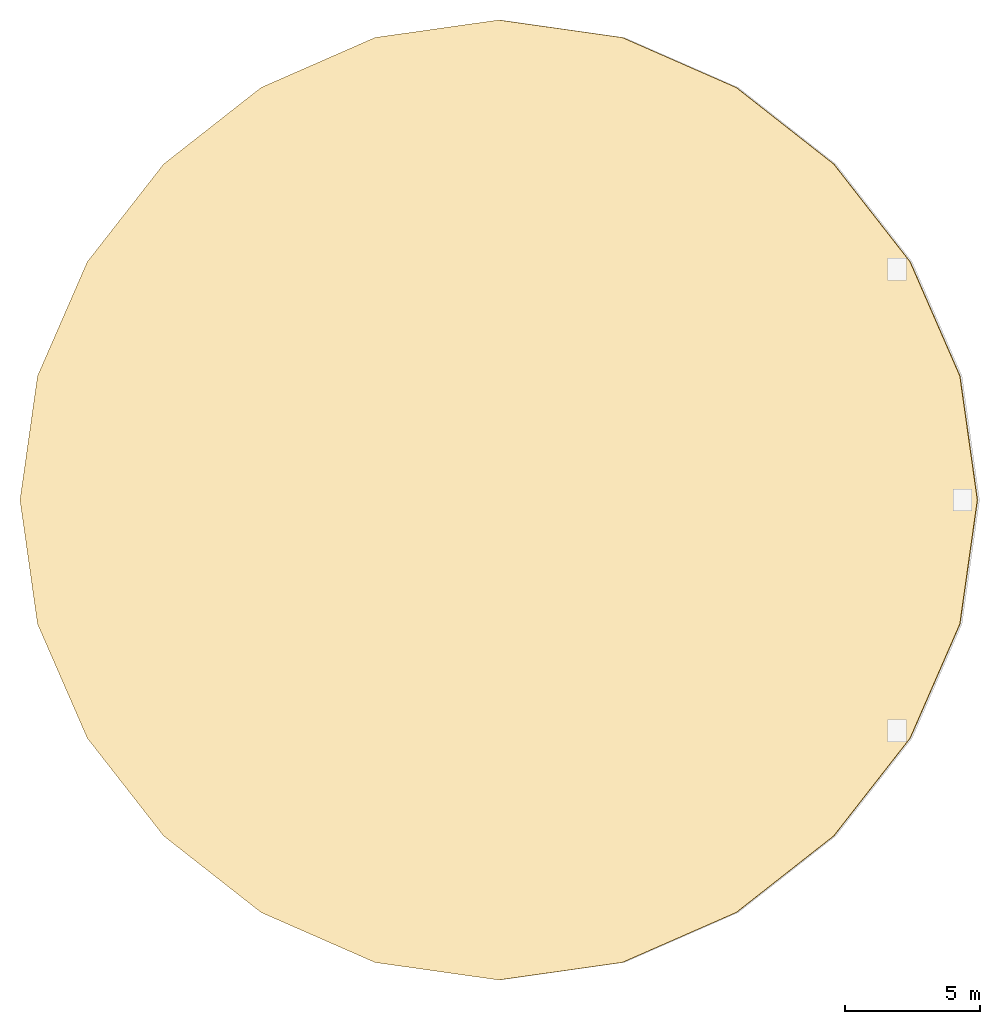
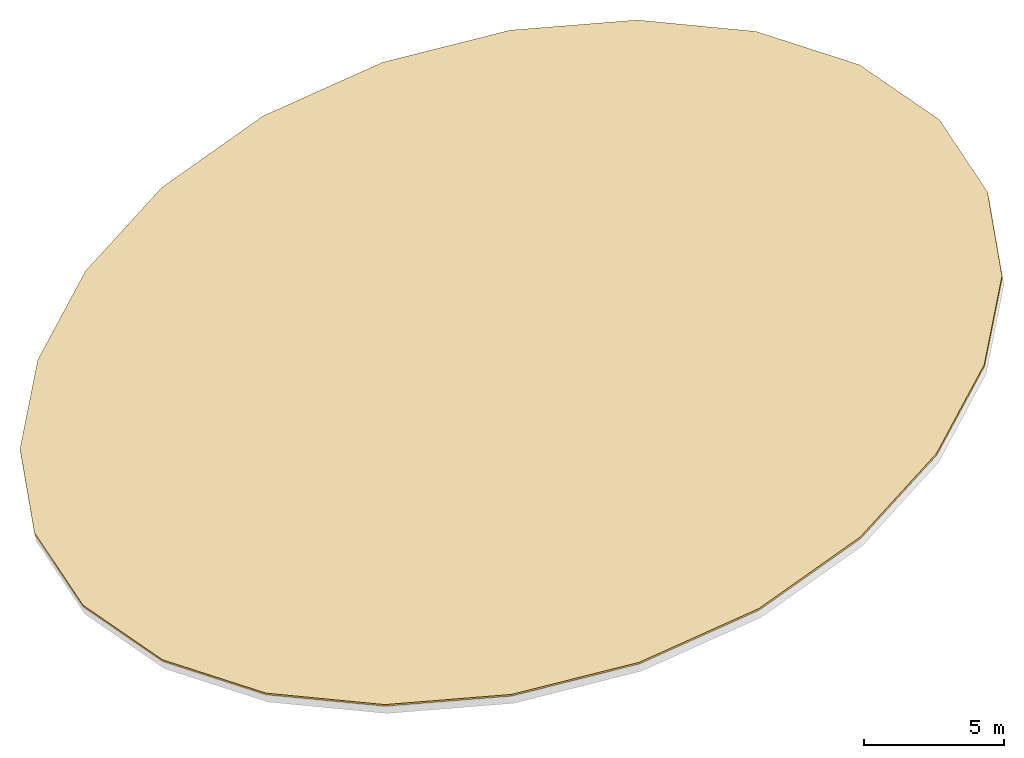
# One storey, part 2 of 2: 1 covering.
"""IFC4 building model written with IfcOpenShell, lengths in metres."""

from ifc_helpers import new_model, si_unit, direction, frame, origin, place, context, subcontext, project, spatial, polyline, outline, extrude, material, layer, layer_set, type_object, element, save


model = new_model("IFC4")

# Units and contexts
model_context = context("Model", 3, precision=1e-05, world=origin(), true_north=direction((0.0, 1.0)))
body_context = subcontext(model_context, "Body", "Model", "MODEL_VIEW")
ifc_project = project(units=[si_unit("LENGTHUNIT", "METRE"), si_unit("AREAUNIT", "SQUARE_METRE"), si_unit("VOLUMEUNIT", "CUBIC_METRE"), si_unit("PLANEANGLEUNIT", "RADIAN"), si_unit("MASSUNIT", "GRAM", prefix="KILO")], contexts=[model_context])

# Site, building, storey
site_placement = place(None, origin())
site = spatial("IfcSite", under=ifc_project, at=site_placement, CompositionType="ELEMENT")
building_placement = place(site_placement, origin())
building = spatial("IfcBuilding", under=site, at=building_placement, Name="Varnakorn Sky Granary", CompositionType="ELEMENT")
storey_placement = place(building_placement, frame((0.0, 0.0, 323.39990234375)))
storey = spatial("IfcBuildingStorey", under=building, at=storey_placement, Name="RF", CompositionType="ELEMENT", Elevation=323.39990234375)

# Covering
ifc_material = material(Name="Standing-Seam Bronze Metal Roofing", Category="aluminium")
ifc_layer = layer(ifc_material, 0.080078125, Name="Standing-Seam Bronze Metal Roofing")
ifc_layer_set = layer_set([ifc_layer], Name="Standing-Seam Bronze Metal Roofing")
covering_type = type_object("IfcCoveringType", Name="CV-ROOF-80", PredefinedType="ROOFING", material=ifc_layer_set)
covering_placement = place(storey_placement, frame((22.550048828125, 0.0, 1.280029296875), z_axis=(-0.241923008072, 0.0, 0.970295448905), x_axis=(-0.139654158604, 0.989587941094, -0.034819862525)))
element("IfcCovering", 1, at=covering_placement, inside=storey, type_object=covering_type, Name="Crown Standing-Seam Bronze Metal Roofing", PredefinedType="ROOFING", context=body_context, shape_type="SweptSolid", body=[
    extrude(outline(polyline([(0.0, 0.0), (4.630735017026344, 1.5959455978986625e-16), (9.085011479021345, 1.2700703534181788), (13.082355946121428, 3.628953663828162), (16.418829393677584, 6.8991598083517935), (18.87147578967198, 10.930198524503721), (20.190720788316508, 15.497125314908123), (20.227102717402463, 20.250816397766886), (19.024370517477312, 24.813567283767625), (16.757688806379388, 28.898718115071354), (13.597915801076558, 32.29856043726012), (9.689980881934318, 34.78486334926888), (5.251103763057163, 36.10398302595588), (0.6203687460308178, 36.10398302595588), (-3.833907715964183, 34.8339126725377), (-7.831252183064266, 32.47502936212772), (-11.167725630620419, 29.204823217604087), (-13.620380527557817, 25.17372605318764), (-14.939651120512911, 20.60662328900783), (-14.9760074552883, 15.853108179924474), (-13.773266754420149, 11.290415742188255), (-11.506585043322225, 7.205264910884525), (-8.346812038019396, 3.8054225886957562), (-4.438877118877157, 1.319119676686998), (0.0, 0.0)])), origin(), (0.0, 0.0, -1.0), 0.080078125),
])

save(model, "model.ifc")
